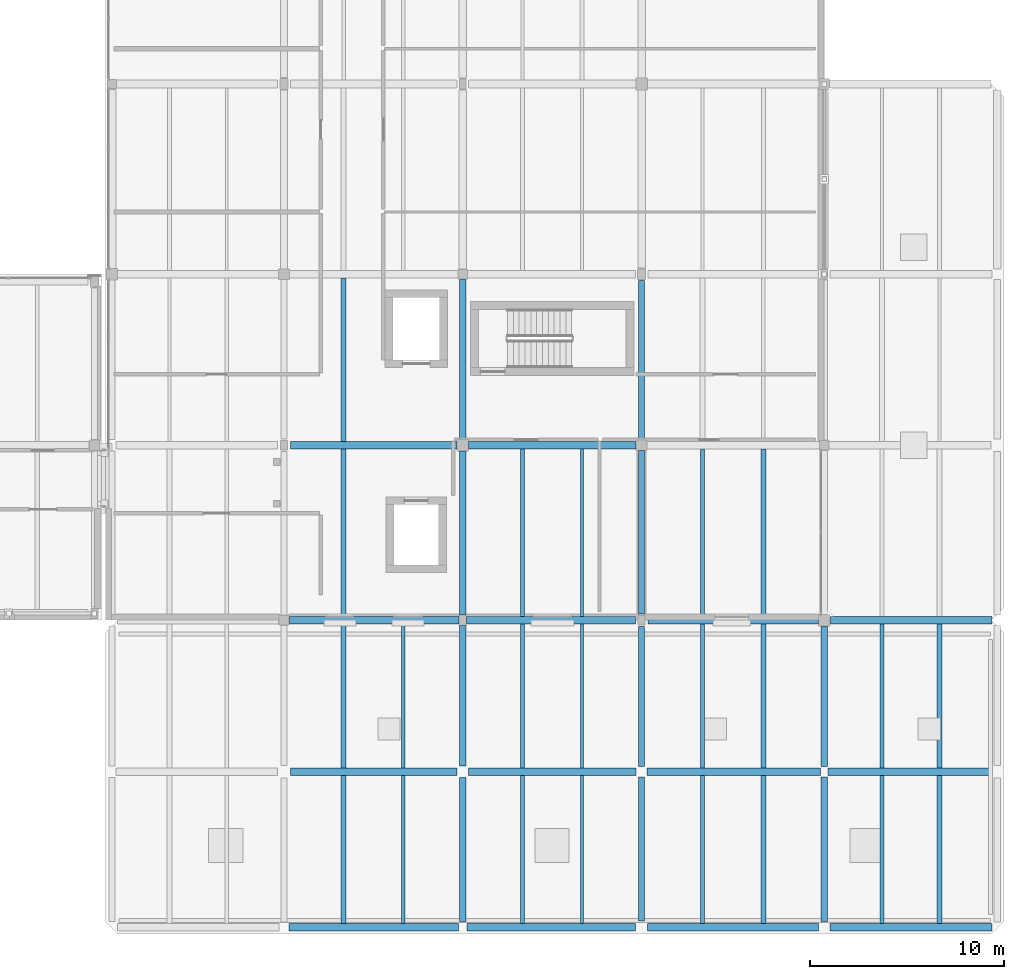
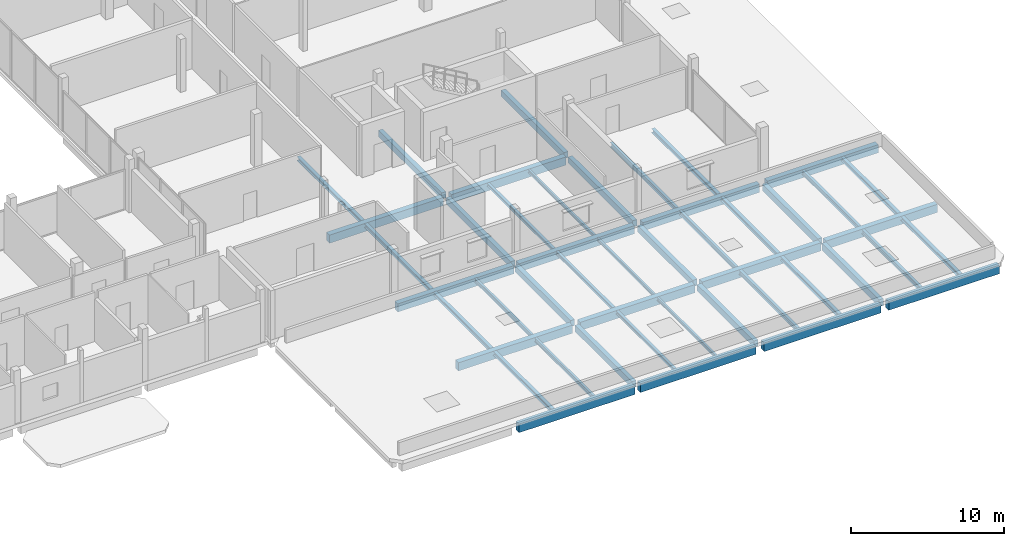
# One storey, part 24 of 66: 46 beams.
"""IFC4 building model written with IfcOpenShell, lengths in metres."""

from ifc_helpers import new_model, si_unit, direction, frame, origin, origin_2d, place, context, subcontext, project, spatial, rectangle, i_section, extrude, material, material_profile, profile_set, type_object, element, save


model = new_model("IFC4")

# Units and contexts
model_context = context("Model", 3, precision=1e-05, world=origin(), true_north=direction((0.0, 1.0)))
body_context = subcontext(model_context, "Body", "Model", "MODEL_VIEW")
ifc_project = project(units=[si_unit("LENGTHUNIT", "METRE"), si_unit("AREAUNIT", "SQUARE_METRE"), si_unit("VOLUMEUNIT", "CUBIC_METRE"), si_unit("PLANEANGLEUNIT", "RADIAN"), si_unit("MASSUNIT", "GRAM", prefix="KILO")], contexts=[model_context])

# Site, building, storey
site_placement = place(None, origin())
site = spatial("IfcSite", under=ifc_project, at=site_placement, CompositionType="ELEMENT")
building_placement = place(site_placement, origin())
building = spatial("IfcBuilding", under=site, at=building_placement, Name="Birchvale Park Specialist Clinic", CompositionType="ELEMENT")
storey_placement = place(building_placement, frame((0.0, 0.0, 5.39990234375)))
storey = spatial("IfcBuildingStorey", under=building, at=storey_placement, Name="L01", CompositionType="ELEMENT", Elevation=5.39990234375)

# Beams
ifc_material_1 = material(Name="Concrete C40/50", Category="concrete")
ifc_material_profile_1 = material_profile(ifc_material_1, rectangle(XDim=0.39990234375, YDim=0.68994140625, at=origin_2d()), Name="RCB-400x690")
ifc_profile_set_1 = profile_set([ifc_material_profile_1], Name="Concrete C40/50")
beam_type_1 = type_object("IfcBeamType", Name="BM-EXT-BG4", PredefinedType="BEAM", material=ifc_profile_set_1)
beam_1_placement = place(storey_placement, frame((128.264892578125, 1.0, -0.619873046875), z_axis=(1.0, 0.0, 0.0), x_axis=(0.0, 1.0, 0.0)))
element("IfcBeam", 1, at=beam_1_placement, inside=storey, type_object=beam_type_1, Name="V5 L01 X girder 2", PredefinedType="BEAM", context=body_context, shape_type="SweptSolid", body=[
    extrude(rectangle(XDim=0.39990234375, YDim=0.68994140625, at=origin_2d()), origin(), (0.0, 0.0, 1.0), 8.72509765625),
])
beam_2_placement = place(storey_placement, frame((137.409912109375, 1.0, -0.619873046875), z_axis=(1.0, 0.0, 0.0), x_axis=(0.0, 1.0, 0.0)))
element("IfcBeam", 2, at=beam_2_placement, inside=storey, type_object=beam_type_1, Name="V5 L01 X girder 3", PredefinedType="BEAM", context=body_context, shape_type="SweptSolid", body=[
    extrude(rectangle(XDim=0.39990234375, YDim=0.68994140625, at=origin_2d()), origin(), (0.0, 0.0, 1.0), 8.675048828125),
])
beam_3_placement = place(storey_placement, frame((146.715087890625, 1.0, -0.619873046875), z_axis=(1.0, 0.0, 0.0), x_axis=(0.0, 1.0, 0.0)))
element("IfcBeam", 3, at=beam_3_placement, inside=storey, type_object=beam_type_1, Name="V5 L01 X girder 4", PredefinedType="BEAM", context=body_context, shape_type="SweptSolid", body=[
    extrude(rectangle(XDim=0.39990234375, YDim=0.68994140625, at=origin_2d()), origin(), (0.0, 0.0, 1.0), 8.794921875),
])
beam_4_placement = place(storey_placement, frame((156.090087890625, 1.0, -0.619873046875), z_axis=(1.0, 0.0, 0.0), x_axis=(0.0, 1.0, 0.0)))
element("IfcBeam", 4, at=beam_4_placement, inside=storey, type_object=beam_type_1, Name="V5 L01 X girder 5", PredefinedType="BEAM", context=body_context, shape_type="SweptSolid", body=[
    extrude(rectangle(XDim=0.39990234375, YDim=0.68994140625, at=origin_2d()), origin(), (0.0, 0.0, 1.0), 8.344970703125),
])
ifc_material_profile_2 = material_profile(ifc_material_1, rectangle(XDim=0.320068359375, YDim=0.5400390625, at=origin_2d()), Name="RCB-320x540")
ifc_profile_set_2 = profile_set([ifc_material_profile_2], Name="Concrete C40/50")
beam_type_2 = type_object("IfcBeamType", Name="BM-EXT-BG7", PredefinedType="BEAM", material=ifc_profile_set_2)
beam_5_placement = place(storey_placement, frame((155.800048828125, 1.2900390625, -0.544921875), z_axis=(0.0, 1.0, 0.0), x_axis=(-1.0, 0.0, 0.0)))
element("IfcBeam", 5, at=beam_5_placement, inside=storey, type_object=beam_type_2, Name="V5 L01 Y girder 61", PredefinedType="BEAM", context=body_context, shape_type="SweptSolid", body=[
    extrude(rectangle(XDim=0.320068359375, YDim=0.5400390625, at=origin_2d()), origin(), (0.0, 0.0, 1.0), 7.43505859375),
])
beam_6_placement = place(storey_placement, frame((155.800048828125, 9.27490234375, -0.544921875), z_axis=(0.0, 1.0, 0.0), x_axis=(-1.0, 0.0, 0.0)))
element("IfcBeam", 6, at=beam_6_placement, inside=storey, type_object=beam_type_2, Name="V5 L01 Y girder 62", PredefinedType="BEAM", context=body_context, shape_type="SweptSolid", body=[
    extrude(rectangle(XDim=0.320068359375, YDim=0.5400390625, at=origin_2d()), origin(), (0.0, 0.0, 1.0), 7.22509765625),
])
ifc_material_profile_3 = material_profile(ifc_material_1, rectangle(XDim=0.39990234375, YDim=0.64990234375, at=origin_2d()), Name="RCB-400x650")
ifc_profile_set_3 = profile_set([ifc_material_profile_3], Name="Concrete C40/50")
beam_type_3 = type_object("IfcBeamType", Name="BM-INT-BG4", PredefinedType="BEAM", material=ifc_profile_set_3)
beam_7_placement = place(storey_placement, frame((128.324951171875, 9.0, -0.599853515625), z_axis=(1.0, 0.0, 0.0), x_axis=(0.0, 1.0, 0.0)))
element("IfcBeam", 7, at=beam_7_placement, inside=storey, type_object=beam_type_3, Name="V5 L01 X girder 7", PredefinedType="BEAM", context=body_context, shape_type="SweptSolid", body=[
    extrude(rectangle(XDim=0.39990234375, YDim=0.64990234375, at=origin_2d()), origin(), (0.0, 0.0, 1.0), 8.574951171875),
])
beam_8_placement = place(storey_placement, frame((137.5, 9.0, -0.599853515625), z_axis=(1.0, 0.0, 0.0), x_axis=(0.0, 1.0, 0.0)))
element("IfcBeam", 8, at=beam_8_placement, inside=storey, type_object=beam_type_3, Name="V5 L01 X girder 8", PredefinedType="BEAM", context=body_context, shape_type="SweptSolid", body=[
    extrude(rectangle(XDim=0.39990234375, YDim=0.64990234375, at=origin_2d()), origin(), (0.0, 0.0, 1.0), 8.625),
])
beam_9_placement = place(storey_placement, frame((146.675048828125, 9.0, -0.599853515625), z_axis=(1.0, 0.0, 0.0), x_axis=(0.0, 1.0, 0.0)))
element("IfcBeam", 9, at=beam_9_placement, inside=storey, type_object=beam_type_3, Name="V5 L01 X girder 9", PredefinedType="BEAM", context=body_context, shape_type="SweptSolid", body=[
    extrude(rectangle(XDim=0.39990234375, YDim=0.64990234375, at=origin_2d()), origin(), (0.0, 0.0, 1.0), 8.925048828125),
])
beam_10_placement = place(storey_placement, frame((156.0, 9.0, -0.599853515625), z_axis=(1.0, 0.0, 0.0), x_axis=(0.0, 1.0, 0.0)))
element("IfcBeam", 10, at=beam_10_placement, inside=storey, type_object=beam_type_3, Name="V5 L01 X girder 10", PredefinedType="BEAM", context=body_context, shape_type="SweptSolid", body=[
    extrude(rectangle(XDim=0.39990234375, YDim=0.64990234375, at=origin_2d()), origin(), (0.0, 0.0, 1.0), 8.385009765625),
])
beam_11_placement = place(storey_placement, frame((128.27490234375, 16.800048828125, -0.625), z_axis=(1.0, 0.0, 0.0), x_axis=(0.0, 1.0, 0.0)))
element("IfcBeam", 11, at=beam_11_placement, inside=storey, type_object=beam_type_3, Name="V5 L01 X girder 12", PredefinedType="BEAM", context=body_context, shape_type="SweptSolid", body=[
    extrude(rectangle(XDim=0.39990234375, YDim=0.64990234375, at=origin_2d()), origin(), (0.0, 0.0, 1.0), 8.72509765625),
])
beam_12_placement = place(storey_placement, frame((137.39990234375, 16.800048828125, -0.625), z_axis=(1.0, 0.0, 0.0), x_axis=(0.0, 1.0, 0.0)))
element("IfcBeam", 12, at=beam_12_placement, inside=storey, type_object=beam_type_3, Name="V5 L01 X girder 13", PredefinedType="BEAM", context=body_context, shape_type="SweptSolid", body=[
    extrude(rectangle(XDim=0.39990234375, YDim=0.64990234375, at=origin_2d()), origin(), (0.0, 0.0, 1.0), 8.675048828125),
])
beam_13_placement = place(storey_placement, frame((146.72509765625, 16.800048828125, -0.625), z_axis=(1.0, 0.0, 0.0), x_axis=(0.0, 1.0, 0.0)))
element("IfcBeam", 13, at=beam_13_placement, inside=storey, type_object=beam_type_3, Name="V5 L01 X girder 14", PredefinedType="BEAM", context=body_context, shape_type="SweptSolid", body=[
    extrude(rectangle(XDim=0.39990234375, YDim=0.64990234375, at=origin_2d()), origin(), (0.0, 0.0, 1.0), 8.77490234375),
])
beam_14_placement = place(storey_placement, frame((156.10009765625, 16.800048828125, -0.599853515625), z_axis=(1.0, 0.0, 0.0), x_axis=(0.0, 1.0, 0.0)))
element("IfcBeam", 14, at=beam_14_placement, inside=storey, type_object=beam_type_3, Name="V5 L01 X girder 15", PredefinedType="BEAM", context=body_context, shape_type="SweptSolid", body=[
    extrude(rectangle(XDim=0.39990234375, YDim=0.64990234375, at=origin_2d()), origin(), (0.0, 0.0, 1.0), 8.3349609375),
])
beam_15_placement = place(storey_placement, frame((128.324951171875, 25.800048828125, -0.625), z_axis=(1.0, 0.0, 0.0), x_axis=(0.0, 1.0, 0.0)))
element("IfcBeam", 15, at=beam_15_placement, inside=storey, type_object=beam_type_3, Name="V5 L01 X girder 17", PredefinedType="BEAM", context=body_context, shape_type="SweptSolid", body=[
    extrude(rectangle(XDim=0.39990234375, YDim=0.64990234375, at=origin_2d()), origin(), (0.0, 0.0, 1.0), 8.574951171875),
])
beam_16_placement = place(storey_placement, frame((137.5, 25.800048828125, -0.625), z_axis=(1.0, 0.0, 0.0), x_axis=(0.0, 1.0, 0.0)))
element("IfcBeam", 16, at=beam_16_placement, inside=storey, type_object=beam_type_3, Name="V5 L01 X girder 18", PredefinedType="BEAM", context=body_context, shape_type="SweptSolid", body=[
    extrude(rectangle(XDim=0.39990234375, YDim=0.64990234375, at=origin_2d()), origin(), (0.0, 0.0, 1.0), 8.625),
])
ifc_material_profile_4 = material_profile(ifc_material_1, rectangle(XDim=0.320068359375, YDim=0.5, at=origin_2d()), Name="RCB-320x500")
ifc_profile_set_4 = profile_set([ifc_material_profile_4], Name="Concrete C40/50")
beam_type_4 = type_object("IfcBeamType", Name="BM-INT-BG7", PredefinedType="BEAM", material=ifc_profile_set_4)
beam_17_placement = place(storey_placement, frame((137.199951171875, 1.2900390625, -0.52490234375), z_axis=(0.0, 1.0, 0.0), x_axis=(-1.0, 0.0, 0.0)))
element("IfcBeam", 17, at=beam_17_placement, inside=storey, type_object=beam_type_4, Name="V5 L01 Y girder 47", PredefinedType="BEAM", context=body_context, shape_type="SweptSolid", body=[
    extrude(rectangle(XDim=0.320068359375, YDim=0.5, at=origin_2d()), origin(), (0.0, 0.0, 1.0), 7.409912109375),
])
beam_18_placement = place(storey_placement, frame((137.199951171875, 9.300048828125, -0.52490234375), z_axis=(0.0, 1.0, 0.0), x_axis=(-1.0, 0.0, 0.0)))
element("IfcBeam", 18, at=beam_18_placement, inside=storey, type_object=beam_type_4, Name="V5 L01 Y girder 48", PredefinedType="BEAM", context=body_context, shape_type="SweptSolid", body=[
    extrude(rectangle(XDim=0.320068359375, YDim=0.5, at=origin_2d()), origin(), (0.0, 0.0, 1.0), 7.224853515625),
])
beam_19_placement = place(storey_placement, frame((137.199951171875, 17.074951171875, -0.5498046875), z_axis=(0.0, 1.0, 0.0), x_axis=(-1.0, 0.0, 0.0)))
element("IfcBeam", 19, at=beam_19_placement, inside=storey, type_object=beam_type_4, Name="V5 L01 Y girder 49", PredefinedType="BEAM", context=body_context, shape_type="SweptSolid", body=[
    extrude(rectangle(XDim=0.320068359375, YDim=0.5, at=origin_2d()), origin(), (0.0, 0.0, 1.0), 8.425048828125),
])
beam_20_placement = place(storey_placement, frame((137.199951171875, 26.10009765625, -0.5498046875), z_axis=(0.0, 1.0, 0.0), x_axis=(-1.0, 0.0, 0.0)))
element("IfcBeam", 20, at=beam_20_placement, inside=storey, type_object=beam_type_4, Name="V5 L01 Y girder 50", PredefinedType="BEAM", context=body_context, shape_type="SweptSolid", body=[
    extrude(rectangle(XDim=0.320068359375, YDim=0.5, at=origin_2d()), origin(), (0.0, 0.0, 1.0), 8.224853515625),
])
beam_21_placement = place(storey_placement, frame((146.39990234375, 1.31494140625, -0.52490234375), z_axis=(0.0, 1.0, 0.0), x_axis=(-1.0, 0.0, 0.0)))
element("IfcBeam", 21, at=beam_21_placement, inside=storey, type_object=beam_type_4, Name="V5 L01 Y girder 54", PredefinedType="BEAM", context=body_context, shape_type="SweptSolid", body=[
    extrude(rectangle(XDim=0.320068359375, YDim=0.5, at=origin_2d()), origin(), (0.0, 0.0, 1.0), 7.41015625),
])
beam_22_placement = place(storey_placement, frame((146.39990234375, 9.27490234375, -0.52490234375), z_axis=(0.0, 1.0, 0.0), x_axis=(-1.0, 0.0, 0.0)))
element("IfcBeam", 22, at=beam_22_placement, inside=storey, type_object=beam_type_4, Name="V5 L01 Y girder 55", PredefinedType="BEAM", context=body_context, shape_type="SweptSolid", body=[
    extrude(rectangle(XDim=0.320068359375, YDim=0.5, at=origin_2d()), origin(), (0.0, 0.0, 1.0), 7.2001953125),
])
beam_23_placement = place(storey_placement, frame((146.39990234375, 17.125, -0.5498046875), z_axis=(0.0, 1.0, 0.0), x_axis=(-1.0, 0.0, 0.0)))
element("IfcBeam", 23, at=beam_23_placement, inside=storey, type_object=beam_type_4, Name="V5 L01 Y girder 56", PredefinedType="BEAM", context=body_context, shape_type="SweptSolid", body=[
    extrude(rectangle(XDim=0.320068359375, YDim=0.5, at=origin_2d()), origin(), (0.0, 0.0, 1.0), 8.39990234375),
])
beam_24_placement = place(storey_placement, frame((146.39990234375, 26.074951171875, -0.5498046875), z_axis=(0.0, 1.0, 0.0), x_axis=(-1.0, 0.0, 0.0)))
element("IfcBeam", 24, at=beam_24_placement, inside=storey, type_object=beam_type_4, Name="V5 L01 Y girder 57", PredefinedType="BEAM", context=body_context, shape_type="SweptSolid", body=[
    extrude(rectangle(XDim=0.320068359375, YDim=0.5, at=origin_2d()), origin(), (0.0, 0.0, 1.0), 8.199951171875),
])
ifc_material_2 = material(Name="Steel ASTM A992 Grade 50", Category="steel")
ifc_material_profile_5 = material_profile(ifc_material_2, i_section(OverallWidth=0.2041015625, OverallDepth=0.35107421875, WebThickness=0.008544921875, FlangeThickness=0.01513671875, at=origin_2d()), Name="W14X48")
ifc_profile_set_5 = profile_set([ifc_material_profile_5], Name="Steel ASTM A992 Grade 50")
beam_type_5 = type_object("IfcBeamType", Name="STL-INT-SJ1", PredefinedType="JOIST", material=ifc_profile_set_5)
beam_25_placement = place(storey_placement, frame((149.533203125, 1.199951171875, -0.450439453125), z_axis=(0.0, 1.0, 0.0), x_axis=(-1.0, 0.0, 0.0)))
element("IfcBeam", 25, at=beam_25_placement, inside=storey, type_object=beam_type_5, Name="V5 L01 secondary floor joist 35", PredefinedType="JOIST", context=body_context, shape_type="SweptSolid", body=[
    extrude(i_section(OverallWidth=0.2041015625, OverallDepth=0.35107421875, WebThickness=0.008544921875, FlangeThickness=0.01513671875, at=origin_2d()), origin(), (0.0, 0.0, 1.0), 7.60009765625),
])
beam_26_placement = place(storey_placement, frame((149.533203125, 9.199951171875, -0.450439453125), z_axis=(0.0, 1.0, 0.0), x_axis=(-1.0, 0.0, 0.0)))
element("IfcBeam", 26, at=beam_26_placement, inside=storey, type_object=beam_type_5, Name="V5 L01 secondary floor joist 37", PredefinedType="JOIST", context=body_context, shape_type="SweptSolid", body=[
    extrude(i_section(OverallWidth=0.2041015625, OverallDepth=0.35107421875, WebThickness=0.008544921875, FlangeThickness=0.01513671875, at=origin_2d()), origin(), (0.0, 0.0, 1.0), 7.400146484375),
])
beam_27_placement = place(storey_placement, frame((149.533203125, 17.0, -0.475341796875), z_axis=(0.0, 1.0, 0.0), x_axis=(-1.0, 0.0, 0.0)))
element("IfcBeam", 27, at=beam_27_placement, inside=storey, type_object=beam_type_5, Name="V5 L01 secondary floor joist 39", PredefinedType="JOIST", context=body_context, shape_type="SweptSolid", body=[
    extrude(i_section(OverallWidth=0.2041015625, OverallDepth=0.35107421875, WebThickness=0.008544921875, FlangeThickness=0.01513671875, at=origin_2d()), origin(), (0.0, 0.0, 1.0), 8.60009765625),
])
beam_28_placement = place(storey_placement, frame((158.7666015625, 1.199951171875, -0.450439453125), z_axis=(0.0, 1.0, 0.0), x_axis=(-1.0, 0.0, 0.0)))
element("IfcBeam", 28, at=beam_28_placement, inside=storey, type_object=beam_type_5, Name="V5 L01 secondary floor joist 45", PredefinedType="JOIST", context=body_context, shape_type="SweptSolid", body=[
    extrude(i_section(OverallWidth=0.2041015625, OverallDepth=0.35107421875, WebThickness=0.008544921875, FlangeThickness=0.01513671875, at=origin_2d()), origin(), (0.0, 0.0, 1.0), 7.60009765625),
])
beam_29_placement = place(storey_placement, frame((158.7666015625, 9.199951171875, -0.450439453125), z_axis=(0.0, 1.0, 0.0), x_axis=(-1.0, 0.0, 0.0)))
element("IfcBeam", 29, at=beam_29_placement, inside=storey, type_object=beam_type_5, Name="V5 L01 secondary floor joist 47", PredefinedType="JOIST", context=body_context, shape_type="SweptSolid", body=[
    extrude(i_section(OverallWidth=0.2041015625, OverallDepth=0.35107421875, WebThickness=0.008544921875, FlangeThickness=0.01513671875, at=origin_2d()), origin(), (0.0, 0.0, 1.0), 7.400146484375),
])
ifc_material_profile_6 = material_profile(ifc_material_2, i_section(OverallWidth=0.25390625, OverallDepth=0.305908203125, WebThickness=0.0087890625, FlangeThickness=0.0146484375, at=origin_2d()), Name="W12X53")
ifc_profile_set_6 = profile_set([ifc_material_profile_6], Name="Steel ASTM A992 Grade 50")
beam_type_6 = type_object("IfcBeamType", Name="STL-INT-SJ2", PredefinedType="JOIST", material=ifc_profile_set_6)
beam_30_placement = place(storey_placement, frame((131.066650390625, 1.199951171875, -0.427978515625), z_axis=(0.0, 1.0, 0.0), x_axis=(-1.0, 0.0, 0.0)))
element("IfcBeam", 30, at=beam_30_placement, inside=storey, type_object=beam_type_6, Name="V5 L01 secondary floor joist 11", PredefinedType="JOIST", context=body_context, shape_type="SweptSolid", body=[
    extrude(i_section(OverallWidth=0.25390625, OverallDepth=0.305908203125, WebThickness=0.0087890625, FlangeThickness=0.0146484375, at=origin_2d()), origin(), (0.0, 0.0, 1.0), 7.60009765625),
])
beam_31_placement = place(storey_placement, frame((131.066650390625, 9.199951171875, -0.427978515625), z_axis=(0.0, 1.0, 0.0), x_axis=(-1.0, 0.0, 0.0)))
element("IfcBeam", 31, at=beam_31_placement, inside=storey, type_object=beam_type_6, Name="V5 L01 secondary floor joist 13", PredefinedType="JOIST", context=body_context, shape_type="SweptSolid", body=[
    extrude(i_section(OverallWidth=0.25390625, OverallDepth=0.305908203125, WebThickness=0.0087890625, FlangeThickness=0.0146484375, at=origin_2d()), origin(), (0.0, 0.0, 1.0), 7.400146484375),
])
beam_32_placement = place(storey_placement, frame((131.066650390625, 17.0, -0.452880859375), z_axis=(0.0, 1.0, 0.0), x_axis=(-1.0, 0.0, 0.0)))
element("IfcBeam", 32, at=beam_32_placement, inside=storey, type_object=beam_type_6, Name="V5 L01 secondary floor joist 15", PredefinedType="JOIST", context=body_context, shape_type="SweptSolid", body=[
    extrude(i_section(OverallWidth=0.25390625, OverallDepth=0.305908203125, WebThickness=0.0087890625, FlangeThickness=0.0146484375, at=origin_2d()), origin(), (0.0, 0.0, 1.0), 8.60009765625),
])
beam_33_placement = place(storey_placement, frame((131.066650390625, 26.0, -0.452880859375), z_axis=(0.0, 1.0, 0.0), x_axis=(-1.0, 0.0, 0.0)))
element("IfcBeam", 33, at=beam_33_placement, inside=storey, type_object=beam_type_6, Name="V5 L01 secondary floor joist 16", PredefinedType="JOIST", context=body_context, shape_type="SweptSolid", body=[
    extrude(i_section(OverallWidth=0.25390625, OverallDepth=0.305908203125, WebThickness=0.0087890625, FlangeThickness=0.0146484375, at=origin_2d()), origin(), (0.0, 0.0, 1.0), 8.39990234375),
])
beam_34_placement = place(storey_placement, frame((152.666748046875, 1.199951171875, -0.427978515625), z_axis=(0.0, 1.0, 0.0), x_axis=(-1.0, 0.0, 0.0)))
element("IfcBeam", 34, at=beam_34_placement, inside=storey, type_object=beam_type_6, Name="V5 L01 secondary floor joist 36", PredefinedType="JOIST", context=body_context, shape_type="SweptSolid", body=[
    extrude(i_section(OverallWidth=0.25390625, OverallDepth=0.305908203125, WebThickness=0.0087890625, FlangeThickness=0.0146484375, at=origin_2d()), origin(), (0.0, 0.0, 1.0), 7.60009765625),
])
beam_35_placement = place(storey_placement, frame((152.666748046875, 9.199951171875, -0.427978515625), z_axis=(0.0, 1.0, 0.0), x_axis=(-1.0, 0.0, 0.0)))
element("IfcBeam", 35, at=beam_35_placement, inside=storey, type_object=beam_type_6, Name="V5 L01 secondary floor joist 38", PredefinedType="JOIST", context=body_context, shape_type="SweptSolid", body=[
    extrude(i_section(OverallWidth=0.25390625, OverallDepth=0.305908203125, WebThickness=0.0087890625, FlangeThickness=0.0146484375, at=origin_2d()), origin(), (0.0, 0.0, 1.0), 7.400146484375),
])
beam_36_placement = place(storey_placement, frame((152.666748046875, 17.0, -0.452880859375), z_axis=(0.0, 1.0, 0.0), x_axis=(-1.0, 0.0, 0.0)))
element("IfcBeam", 36, at=beam_36_placement, inside=storey, type_object=beam_type_6, Name="V5 L01 secondary floor joist 40", PredefinedType="JOIST", context=body_context, shape_type="SweptSolid", body=[
    extrude(i_section(OverallWidth=0.25390625, OverallDepth=0.305908203125, WebThickness=0.0087890625, FlangeThickness=0.0146484375, at=origin_2d()), origin(), (0.0, 0.0, 1.0), 8.60009765625),
])
beam_37_placement = place(storey_placement, frame((161.7333984375, 1.199951171875, -0.427978515625), z_axis=(0.0, 1.0, 0.0), x_axis=(-1.0, 0.0, 0.0)))
element("IfcBeam", 37, at=beam_37_placement, inside=storey, type_object=beam_type_6, Name="V5 L01 secondary floor joist 46", PredefinedType="JOIST", context=body_context, shape_type="SweptSolid", body=[
    extrude(i_section(OverallWidth=0.25390625, OverallDepth=0.305908203125, WebThickness=0.0087890625, FlangeThickness=0.0146484375, at=origin_2d()), origin(), (0.0, 0.0, 1.0), 7.60009765625),
])
beam_38_placement = place(storey_placement, frame((161.7333984375, 9.199951171875, -0.427978515625), z_axis=(0.0, 1.0, 0.0), x_axis=(-1.0, 0.0, 0.0)))
element("IfcBeam", 38, at=beam_38_placement, inside=storey, type_object=beam_type_6, Name="V5 L01 secondary floor joist 48", PredefinedType="JOIST", context=body_context, shape_type="SweptSolid", body=[
    extrude(i_section(OverallWidth=0.25390625, OverallDepth=0.305908203125, WebThickness=0.0087890625, FlangeThickness=0.0146484375, at=origin_2d()), origin(), (0.0, 0.0, 1.0), 7.400146484375),
])
ifc_material_profile_7 = material_profile(ifc_material_2, i_section(OverallWidth=0.1669921875, OverallDepth=0.31689453125, WebThickness=0.007568359375, FlangeThickness=0.01318359375, at=origin_2d()), Name="W12X35")
ifc_profile_set_7 = profile_set([ifc_material_profile_7], Name="Steel ASTM A992 Grade 50")
beam_type_7 = type_object("IfcBeamType", Name="STL-INT-SJ3", PredefinedType="JOIST", material=ifc_profile_set_7)
beam_39_placement = place(storey_placement, frame((134.13330078125, 1.199951171875, -0.433349609375), z_axis=(0.0, 1.0, 0.0), x_axis=(-1.0, 0.0, 0.0)))
element("IfcBeam", 39, at=beam_39_placement, inside=storey, type_object=beam_type_7, Name="V5 L01 secondary floor joist 12", PredefinedType="JOIST", context=body_context, shape_type="SweptSolid", body=[
    extrude(i_section(OverallWidth=0.1669921875, OverallDepth=0.31689453125, WebThickness=0.007568359375, FlangeThickness=0.01318359375, at=origin_2d()), origin(), (0.0, 0.0, 1.0), 7.60009765625),
])
beam_40_placement = place(storey_placement, frame((134.13330078125, 9.199951171875, -0.433349609375), z_axis=(0.0, 1.0, 0.0), x_axis=(-1.0, 0.0, 0.0)))
element("IfcBeam", 40, at=beam_40_placement, inside=storey, type_object=beam_type_7, Name="V5 L01 secondary floor joist 14", PredefinedType="JOIST", context=body_context, shape_type="SweptSolid", body=[
    extrude(i_section(OverallWidth=0.1669921875, OverallDepth=0.31689453125, WebThickness=0.007568359375, FlangeThickness=0.01318359375, at=origin_2d()), origin(), (0.0, 0.0, 1.0), 7.400146484375),
])
ifc_material_profile_8 = material_profile(ifc_material_2, i_section(OverallWidth=0.202880859375, OverallDepth=0.251953125, WebThickness=0.008056640625, FlangeThickness=0.013427734375, at=origin_2d()), Name="W10X39")
ifc_profile_set_8 = profile_set([ifc_material_profile_8], Name="Steel ASTM A992 Grade 50")
beam_type_8 = type_object("IfcBeamType", Name="STL-INT-SJ4", PredefinedType="JOIST", material=ifc_profile_set_8)
beam_41_placement = place(storey_placement, frame((140.2666015625, 1.199951171875, -0.40087890625), z_axis=(0.0, 1.0, 0.0), x_axis=(-1.0, 0.0, 0.0)))
element("IfcBeam", 41, at=beam_41_placement, inside=storey, type_object=beam_type_8, Name="V5 L01 secondary floor joist 23", PredefinedType="JOIST", context=body_context, shape_type="SweptSolid", body=[
    extrude(i_section(OverallWidth=0.202880859375, OverallDepth=0.251953125, WebThickness=0.008056640625, FlangeThickness=0.013427734375, at=origin_2d()), origin(), (0.0, 0.0, 1.0), 7.60009765625),
])
beam_42_placement = place(storey_placement, frame((140.2666015625, 9.199951171875, -0.40087890625), z_axis=(0.0, 1.0, 0.0), x_axis=(-1.0, 0.0, 0.0)))
element("IfcBeam", 42, at=beam_42_placement, inside=storey, type_object=beam_type_8, Name="V5 L01 secondary floor joist 25", PredefinedType="JOIST", context=body_context, shape_type="SweptSolid", body=[
    extrude(i_section(OverallWidth=0.202880859375, OverallDepth=0.251953125, WebThickness=0.008056640625, FlangeThickness=0.013427734375, at=origin_2d()), origin(), (0.0, 0.0, 1.0), 7.400146484375),
])
beam_43_placement = place(storey_placement, frame((140.2666015625, 17.0, -0.42578125), z_axis=(0.0, 1.0, 0.0), x_axis=(-1.0, 0.0, 0.0)))
element("IfcBeam", 43, at=beam_43_placement, inside=storey, type_object=beam_type_8, Name="V5 L01 secondary floor joist 27", PredefinedType="JOIST", context=body_context, shape_type="SweptSolid", body=[
    extrude(i_section(OverallWidth=0.202880859375, OverallDepth=0.251953125, WebThickness=0.008056640625, FlangeThickness=0.013427734375, at=origin_2d()), origin(), (0.0, 0.0, 1.0), 8.60009765625),
])
ifc_material_profile_9 = material_profile(ifc_material_2, i_section(OverallWidth=0.14697265625, OverallDepth=0.261962890625, WebThickness=0.006591796875, FlangeThickness=0.01123046875, at=origin_2d()), Name="W10X26")
ifc_profile_set_9 = profile_set([ifc_material_profile_9], Name="Steel ASTM A992 Grade 50")
beam_type_9 = type_object("IfcBeamType", Name="STL-INT-SJ5", PredefinedType="JOIST", material=ifc_profile_set_9)
beam_44_placement = place(storey_placement, frame((143.333251953125, 1.199951171875, -0.406005859375), z_axis=(0.0, 1.0, 0.0), x_axis=(-1.0, 0.0, 0.0)))
element("IfcBeam", 44, at=beam_44_placement, inside=storey, type_object=beam_type_9, Name="V5 L01 secondary floor joist 24", PredefinedType="JOIST", context=body_context, shape_type="SweptSolid", body=[
    extrude(i_section(OverallWidth=0.14697265625, OverallDepth=0.261962890625, WebThickness=0.006591796875, FlangeThickness=0.01123046875, at=origin_2d()), origin(), (0.0, 0.0, 1.0), 7.60009765625),
])
beam_45_placement = place(storey_placement, frame((143.333251953125, 9.199951171875, -0.406005859375), z_axis=(0.0, 1.0, 0.0), x_axis=(-1.0, 0.0, 0.0)))
element("IfcBeam", 45, at=beam_45_placement, inside=storey, type_object=beam_type_9, Name="V5 L01 secondary floor joist 26", PredefinedType="JOIST", context=body_context, shape_type="SweptSolid", body=[
    extrude(i_section(OverallWidth=0.14697265625, OverallDepth=0.261962890625, WebThickness=0.006591796875, FlangeThickness=0.01123046875, at=origin_2d()), origin(), (0.0, 0.0, 1.0), 7.400146484375),
])
beam_46_placement = place(storey_placement, frame((143.333251953125, 17.0, -0.430908203125), z_axis=(0.0, 1.0, 0.0), x_axis=(-1.0, 0.0, 0.0)))
element("IfcBeam", 46, at=beam_46_placement, inside=storey, type_object=beam_type_9, Name="V5 L01 secondary floor joist 28", PredefinedType="JOIST", context=body_context, shape_type="SweptSolid", body=[
    extrude(i_section(OverallWidth=0.14697265625, OverallDepth=0.261962890625, WebThickness=0.006591796875, FlangeThickness=0.01123046875, at=origin_2d()), origin(), (0.0, 0.0, 1.0), 8.60009765625),
])

save(model, "model.ifc")
